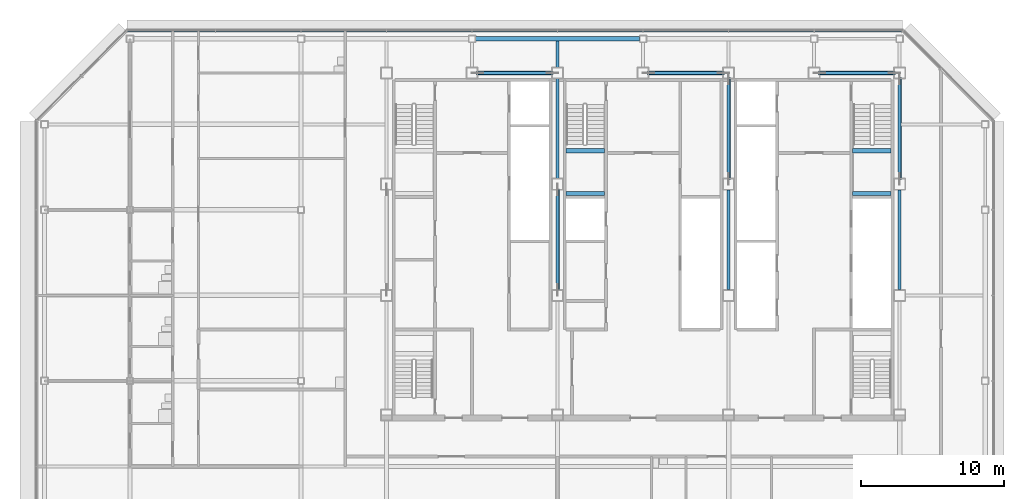
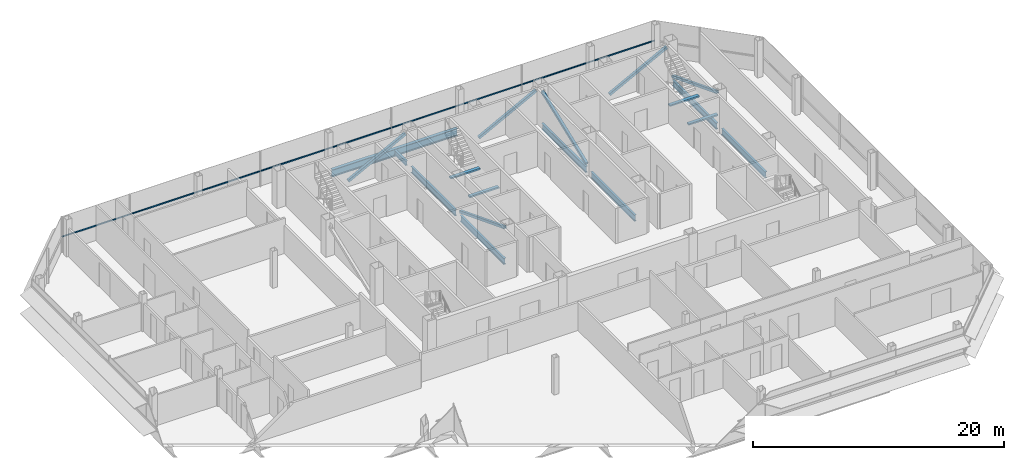
# One storey, part 17 of 31: 12 beams, 7 members, 1 element without a shape of its own.
"""IFC4 building model written with IfcOpenShell, lengths in metres."""

import ifcopenshell
import ifcopenshell.guid

model = None  # the IFC model being written
_history = None  # IfcOwnerHistory: only IFC2X3 demands one
_inside = {}  # id of a spatial element -> (the spatial element, [elements in it])
_under = {}  # id of a project, library or spatial element -> (it, [spatial elements below it])
_declared = {}  # id of a project -> (the project, [libraries it declares])
_typed = {}  # id of a type object -> (the type object, [elements of that type])
_made_of = {}  # id of a material, layer set ... -> (it, [elements and type objects made of it])


def new_model(schema):
    """Start an empty IFC model of exactly this schema.

    Asked for "IFC4X3", IfcOpenShell would pick the latest addendum, in which some entities
    have other attributes; the version numbers below select the first issue.
    IFC2X3 requires an IfcOwnerHistory on every rooted entity: one is made here for all.
    """
    global model, _history
    if schema == "IFC4X3":
        model = ifcopenshell.file(schema_version=(4, 3, 0, 0))
    else:
        model = ifcopenshell.file(schema=schema)
    _inside.clear()
    _under.clear()
    _declared.clear()
    _typed.clear()
    _made_of.clear()
    _history = None
    if model.schema == "IFC2X3":
        org = make("IfcOrganization", Name="unknown")
        user = make(
            "IfcPersonAndOrganization",
            ThePerson=make("IfcPerson", FamilyName="unknown"),
            TheOrganization=org,
        )
        app = make(
            "IfcApplication",
            ApplicationDeveloper=org,
            Version="unknown",
            ApplicationFullName="unknown",
            ApplicationIdentifier="unknown",
        )
        _history = make(
            "IfcOwnerHistory",
            OwningUser=user,
            OwningApplication=app,
            ChangeAction="ADDED",
            CreationDate=0,
        )
    return model


def make(cls, **values):
    """One entity of the class cls with the attributes given. An attribute that is None is left unset."""
    return model.create_entity(
        cls, **{name: value for name, value in values.items() if value is not None}
    )


def rooted(cls, **values):
    """An entity with a GlobalId (a new one), such as an element, a storey or a relation."""
    return make(cls, GlobalId=ifcopenshell.guid.new(), OwnerHistory=_history, **values)


def si_unit(unit_type, name, prefix=None):
    """IfcSIUnit, for example si_unit("LENGTHUNIT", "METRE", prefix="MILLI")."""
    return make("IfcSIUnit", UnitType=unit_type, Prefix=prefix, Name=name)


def assignment(units):
    """IfcUnitAssignment: the units of a project."""
    return None if units is None else make("IfcUnitAssignment", Units=units)


def point(xyz):
    """IfcCartesianPoint."""
    return None if xyz is None else make("IfcCartesianPoint", Coordinates=xyz)


def direction(xyz):
    """IfcDirection."""
    return None if xyz is None else make("IfcDirection", DirectionRatios=xyz)


def frame(location, z_axis=None, x_axis=None):
    """IfcAxis2Placement3D, a coordinate frame: its origin and axes. An axis left out is left unset."""
    return make(
        "IfcAxis2Placement3D",
        Location=point(location),
        Axis=direction(z_axis),
        RefDirection=direction(x_axis),
    )


def frame_2d(location, x_axis=None):
    """IfcAxis2Placement2D, a coordinate frame in the plane: its origin and x axis."""
    return make(
        "IfcAxis2Placement2D", Location=point(location), RefDirection=direction(x_axis)
    )


def origin():
    """The frame at (0, 0, 0) with its axes left unset."""
    return frame((0.0, 0.0, 0.0))


def origin_2d():
    """The frame at (0, 0) in the plane with its x axis left unset."""
    return frame_2d((0.0, 0.0))


def place(relative_to, where):
    """IfcLocalPlacement: puts the frame where relative to a parent placement (None: the world)."""
    return make(
        "IfcLocalPlacement", PlacementRelTo=relative_to, RelativePlacement=where
    )


def context(
    kind, dimensions, precision=None, world=None, true_north=None, identifier=None
):
    """IfcGeometricRepresentationContext, for example the 3D "Model" context."""
    return make(
        "IfcGeometricRepresentationContext",
        ContextIdentifier=identifier,
        ContextType=kind,
        CoordinateSpaceDimension=dimensions,
        Precision=precision,
        WorldCoordinateSystem=world,
        TrueNorth=true_north,
    )


def subcontext(parent, identifier, kind, view, scale=None):
    """IfcGeometricRepresentationSubContext, for example "Body" below "Model"."""
    return make(
        "IfcGeometricRepresentationSubContext",
        ContextIdentifier=identifier,
        ContextType=kind,
        ParentContext=parent,
        TargetScale=scale,
        TargetView=view,
    )


def project(units=None, contexts=None):
    """IfcProject with its units and contexts."""
    return rooted(
        "IfcProject",
        Name="project",
        RepresentationContexts=contexts,
        UnitsInContext=assignment(units),
    )


def spatial(cls, under=None, at=None, **own):
    """A site, building, storey or space (cls), placed at a placement, below another one or the project."""
    s = rooted(cls, ObjectPlacement=at, **own)
    if under is not None:
        _under.setdefault(under.id(), (under, []))[1].append(s)
    return s


def profile(cls, at=None, kind="AREA", **sizes):
    """A parametric profile (cls). Its sizes go by their IFC names, for example OverallWidth=200.0."""
    return make(cls, ProfileType=kind, Position=at, **sizes)


def rectangle(**sizes):
    """IfcRectangleProfileDef."""
    return profile("IfcRectangleProfileDef", **sizes)


def hollow_rectangle(**sizes):
    """IfcRectangleHollowProfileDef."""
    return profile("IfcRectangleHollowProfileDef", **sizes)


def i_section(**sizes):
    """IfcIShapeProfileDef."""
    return profile("IfcIShapeProfileDef", **sizes)


def extrude(swept, where, along, depth):
    """IfcExtrudedAreaSolid: the profile swept, set in the frame where, extruded along a direction by depth."""
    return make(
        "IfcExtrudedAreaSolid",
        SweptArea=swept,
        Position=where,
        ExtrudedDirection=direction(along),
        Depth=depth,
    )


def shape(context_of_items, identifier, shape_type, items):
    """IfcShapeRepresentation: the items that make up one representation, for example the "Body"."""
    return make(
        "IfcShapeRepresentation",
        ContextOfItems=context_of_items,
        RepresentationIdentifier=identifier,
        RepresentationType=shape_type,
        Items=items,
    )


def material(Name=None, Category=None):
    """IfcMaterial."""
    return make("IfcMaterial", Name=Name, Category=Category)


def material_profile(
    of_material, cross_section, Name=None, Category=None, Priority=None
):
    """IfcMaterialProfile: a cross section and its material."""
    return make(
        "IfcMaterialProfile",
        Name=Name,
        Material=of_material,
        Profile=cross_section,
        Priority=Priority,
        Category=Category,
    )


def profile_set(profiles, Name=None, composite=None):
    """IfcMaterialProfileSet."""
    return make(
        "IfcMaterialProfileSet",
        Name=Name,
        MaterialProfiles=profiles,
        CompositeProfile=composite,
    )


def made_of(thing, what):
    """Note that an element or type object is made of a material, layer set ...; save() writes the relation."""
    if what is not None:
        _made_of.setdefault(what.id(), (what, []))[1].append(thing)
    return thing


def type_object(cls, material=None, **own):
    """A type object (cls), such as IfcWallType, which elements share."""
    return made_of(rooted(cls, **own), material)


def element(
    cls,
    number,
    at=None,
    inside=None,
    cuts=None,
    type_object=None,
    material=None,
    context=None,
    identifier="Body",
    shape_type=None,
    held_by="IfcProductDefinitionShape",
    body=None,
    shapes=None,
    **own,
):
    """One element of the class cls, such as IfcWall. Its Tag is "e" and its number.

    at: its placement. inside: the storey or other place that contains it. cuts: it is an
    opening in that element (IfcRelVoidsElement). A single representation is given by context,
    identifier, shape_type and body (its items); several are given by shapes. held_by: the class
    of the entity that holds the representations. save() writes the other relations.
    """
    e = rooted(cls, Tag="e%d" % number, ObjectPlacement=at, **own)
    if body is not None:
        shapes = [shape(context, identifier, shape_type, body)]
    if shapes is not None:
        e.Representation = make(held_by, Representations=shapes)
    if inside is not None:
        _inside.setdefault(inside.id(), (inside, []))[1].append(e)
    if cuts is not None:
        rooted(
            "IfcRelVoidsElement", RelatingBuildingElement=cuts, RelatedOpeningElement=e
        )
    if type_object is not None:
        _typed.setdefault(type_object.id(), (type_object, []))[1].append(e)
    return made_of(e, material)


def aggregate(whole, parts):
    """IfcRelAggregates: a whole, such as a stair, and the parts it consists of."""
    return rooted("IfcRelAggregates", RelatingObject=whole, RelatedObjects=parts)


def save(model, path):
    """Write the relations noted so far, then the file.

    IfcRelAggregates (storeys below a building ...), IfcRelContainedInSpatialStructure (elements
    in a storey), IfcRelDefinesByType, IfcRelAssociatesMaterial and IfcRelDeclares: one each for
    every whole, place, type object, material and project.
    """
    for whole, parts in _under.values():
        aggregate(whole, parts)
    for where, things in _inside.values():
        rooted(
            "IfcRelContainedInSpatialStructure",
            RelatedElements=things,
            RelatingStructure=where,
        )
    for kind, things in _typed.values():
        rooted("IfcRelDefinesByType", RelatedObjects=things, RelatingType=kind)
    for what, things in _made_of.values():
        rooted("IfcRelAssociatesMaterial", RelatedObjects=things, RelatingMaterial=what)
    for by, libraries in _declared.values():
        rooted("IfcRelDeclares", RelatingContext=by, RelatedDefinitions=libraries)
    model.write(path)


model = new_model("IFC4")

# Units and contexts
model_context = context("Model", 3, precision=1e-05, world=origin(), true_north=direction((0.0, 1.0)))
body_context = subcontext(model_context, "Body", "Model", "MODEL_VIEW")
ifc_project = project(units=[si_unit("LENGTHUNIT", "METRE"), si_unit("AREAUNIT", "SQUARE_METRE"), si_unit("VOLUMEUNIT", "CUBIC_METRE"), si_unit("PLANEANGLEUNIT", "RADIAN"), si_unit("MASSUNIT", "GRAM", prefix="KILO")], contexts=[model_context])

# Site, building, storey
site_placement = place(None, origin())
site = spatial("IfcSite", under=ifc_project, at=site_placement, CompositionType="ELEMENT")
building_placement = place(site_placement, origin())
building = spatial("IfcBuilding", under=site, at=building_placement, Name="Sorahane Residences", CompositionType="ELEMENT")
storey_placement = place(building_placement, frame((0.0, 0.0, 319.60009765625)))
storey = spatial("IfcBuildingStorey", under=building, at=storey_placement, Name="L76", CompositionType="ELEMENT", Elevation=319.60009765625)

# Members
ifc_material_1 = material(Name="Steel Q355B", Category="steel")
ifc_material_profile_1 = material_profile(ifc_material_1, hollow_rectangle(XDim=0.25, YDim=0.25, WallThickness=0.011962890625, InnerFilletRadius=0.006103515625, OuterFilletRadius=0.01806640625, at=origin_2d()), Name="RHS 250x250x12")
ifc_profile_set_1 = profile_set([ifc_material_profile_1], Name="Steel Q355B")
member_type_1 = type_object("IfcMemberType", Name="Core brace RHS 250x250x12 Q355B", PredefinedType="BRACE", material=ifc_profile_set_1)
for number, where, z_axis, x_axis, name in (
    (1, (12.365234375, 45.60009765625, 0.106689453125), (0.886099769192, 0.0, 0.46349455125), (0.0, 1.0, 0.0), "Core brace L76 y45.6-2"),
    (2, (24.365234375, 45.60009765625, 0.106689453125), (0.886099769192, 0.0, 0.46349455125), (0.0, 1.0, 0.0), "Core brace L76 y45.6-4"),
    (3, (36.365234375, 45.60009765625, 0.106689453125), (0.886099769192, 0.0, 0.46349455125), (0.0, 1.0, 0.0), "Core brace L76 y45.6-6"),
):
    element("IfcMember", number, at=place(storey_placement, frame(where, z_axis=z_axis, x_axis=x_axis)), inside=storey, type_object=member_type_1, Name=name, PredefinedType="BRACE", context=body_context, shape_type="SweptSolid", body=[
        extrude(hollow_rectangle(XDim=0.25, YDim=0.25, WallThickness=0.011962890625, InnerFilletRadius=0.006103515625, OuterFilletRadius=0.01806640625, at=origin_2d()), origin(), (0.0, 0.0, 1.0), 5.94677734375),
    ])
member_1_placement = place(storey_placement, frame((42.0, 45.22705078125, 0.1142578125), z_axis=(0.0, -0.932097872445, 0.362206510411), x_axis=(1.0, 0.0, 0.0)))
element("IfcMember", 4, at=member_1_placement, inside=storey, type_object=member_type_1, Name="Core brace L76 x42-3", PredefinedType="BRACE", context=body_context, shape_type="SweptSolid", body=[
    extrude(hollow_rectangle(XDim=0.25, YDim=0.25, WallThickness=0.011962890625, InnerFilletRadius=0.006103515625, OuterFilletRadius=0.01806640625, at=origin_2d()), origin(), (0.0, 0.0, 1.0), 7.568115234375),
])
member_2_placement = place(storey_placement, frame((18.0, 37.42724609375, 0.1142578125), z_axis=(0.0, -0.932102104456, 0.362195619617), x_axis=(1.0, 0.0, 0.0)))
element("IfcMember", 5, at=member_2_placement, inside=storey, type_object=member_type_1, Name="Core brace L76 x18-1", PredefinedType="BRACE", context=body_context, shape_type="SweptSolid", body=[
    extrude(hollow_rectangle(XDim=0.25, YDim=0.25, WallThickness=0.011962890625, InnerFilletRadius=0.006103515625, OuterFilletRadius=0.01806640625, at=origin_2d()), origin(), (0.0, 0.0, 1.0), 7.568359375),
])
member_3_placement = place(storey_placement, frame((30.0, 38.1728515625, 0.1142578125), z_axis=(0.0, 0.932097872445, 0.362206510411), x_axis=(-1.0, 0.0, 0.0)))
element("IfcMember", 6, at=member_3_placement, inside=storey, type_object=member_type_1, Name="Core brace L76 x30-2", PredefinedType="BRACE", context=body_context, shape_type="SweptSolid", body=[
    extrude(hollow_rectangle(XDim=0.25, YDim=0.25, WallThickness=0.011962890625, InnerFilletRadius=0.006103515625, OuterFilletRadius=0.01806640625, at=origin_2d()), origin(), (0.0, 0.0, 1.0), 7.568115234375),
])

# Curtain wall, member
ifc_material_2 = material(Name="Dark low-e glass and black anodised aluminium", Category="aluminium")
curtain_wall_type = type_object("IfcCurtainWallType", Name="Curtain wall CW-1 Typical unitised wall", PredefinedType="NOTDEFINED", material=ifc_material_2)
curtain_wall_placement = place(storey_placement, origin())
curtain_wall = element("IfcCurtainWall", 7, at=curtain_wall_placement, inside=storey, type_object=curtain_wall_type, Name="CW-1 curtain wall L76 N1", PredefinedType="NOTDEFINED")
ifc_material_3 = material(Name="Black anodised aluminium", Category="aluminium")
ifc_material_profile_2 = material_profile(ifc_material_3, rectangle(XDim=0.10009765625, YDim=0.06005859375, at=origin_2d()), Name="Curtain wall transom CW-1 black anodised aluminium 60x100")
ifc_profile_set_2 = profile_set([ifc_material_profile_2], Name="Black anodised aluminium")
member_type_2 = type_object("IfcMemberType", Name="Curtain wall transom CW-1 black anodised aluminium 60x100", PredefinedType="USERDEFINED", material=ifc_profile_set_2)
member_4_placement = place(storey_placement, frame((42.198486328125, 48.530029296875, 1.5), z_axis=(-1.0, 0.0, 0.0), x_axis=(0.0, -1.0, 0.0)))
member_4 = element("IfcMember", 8, at=member_4_placement, type_object=member_type_2, Name="CW-1 transom L76 N1", ObjectType="TRANSOM", PredefinedType="USERDEFINED", context=body_context, shape_type="SweptSolid", body=[
    extrude(rectangle(XDim=0.10009765625, YDim=0.06005859375, at=origin_2d()), origin(), (0.0, 0.0, 1.0), 54.39697265625),
])
aggregate(curtain_wall, [member_4])

# Beams
ifc_material_4 = material(Name="Concrete C40", Category="concrete")
ifc_material_profile_3 = material_profile(ifc_material_4, rectangle(XDim=0.300048828125, YDim=0.139892578125, at=origin_2d()), Name="300x140")
ifc_profile_set_3 = profile_set([ifc_material_profile_3], Name="Concrete C40")
beam_type_1 = type_object("IfcBeamType", Name="RC landing beam 300 x 140 Concrete C40", PredefinedType="BEAM", material=ifc_profile_set_3)
for number, where, z_axis, x_axis, name in (
    (9, (38.699951171875, 37.14990234375, 1.52978515625), (1.0, 0.0, 0.0), (0.0, 1.0, 0.0), "Landing beam"),
    (10, (38.699951171875, 40.14990234375, 1.52978515625), (1.0, 0.0, 0.0), (0.0, 1.0, 0.0), "Landing beam"),
    (11, (18.60009765625, 37.14990234375, 1.52978515625), (1.0, 0.0, 0.0), (0.0, 1.0, 0.0), "Landing beam"),
    (12, (18.60009765625, 40.14990234375, 1.52978515625), (1.0, 0.0, 0.0), (0.0, 1.0, 0.0), "Landing beam"),
):
    element("IfcBeam", number, at=place(storey_placement, frame(where, z_axis=z_axis, x_axis=x_axis)), inside=storey, type_object=beam_type_1, Name=name, PredefinedType="BEAM", context=body_context, shape_type="SweptSolid", body=[
        extrude(rectangle(XDim=0.300048828125, YDim=0.139892578125, at=origin_2d()), origin(), (0.0, 0.0, 1.0), 2.699951171875),
    ])
ifc_material_5 = material(Name="Steel Q355B", Category="steel")
ifc_material_profile_4 = material_profile(ifc_material_5, i_section(OverallWidth=0.199951171875, OverallDepth=0.449951171875, WebThickness=0.009033203125, FlangeThickness=0.013916015625, FilletRadius=0.02001953125, at=origin_2d()), Name="HN 450x200x9x14")
ifc_profile_set_4 = profile_set([ifc_material_profile_4], Name="Steel Q355B")
beam_type_2 = type_object("IfcBeamType", Name="Steel floor beam HN 450x200x9x14 Q355B", PredefinedType="BEAM", material=ifc_profile_set_4)
beam_1_placement = place(storey_placement, frame((18.0, 46.0, -0.405029296875), z_axis=(0.0, 1.0, 0.0), x_axis=(-1.0, 0.0, 0.0)))
element("IfcBeam", 13, at=beam_1_placement, inside=storey, type_object=beam_type_2, Name="Beam L76 044", PredefinedType="BEAM", context=body_context, shape_type="SweptSolid", body=[
    extrude(i_section(OverallWidth=0.199951171875, OverallDepth=0.449951171875, WebThickness=0.009033203125, FlangeThickness=0.013916015625, FilletRadius=0.02001953125, at=origin_2d()), origin(), (0.0, 0.0, 1.0), 1.85009765625),
])
ifc_material_6 = material(Name="Steel Q355B", Category="steel")
ifc_material_profile_5 = material_profile(ifc_material_6, i_section(OverallWidth=0.199951171875, OverallDepth=0.60009765625, WebThickness=0.010986328125, FlangeThickness=0.01708984375, FilletRadius=0.02392578125, at=origin_2d()), Name="HN 600x200x11x17")
ifc_profile_set_5 = profile_set([ifc_material_profile_5], Name="Steel Q355B")
beam_type_3 = type_object("IfcBeamType", Name="Steel floor beam HN 600x200x11x17 Q355B", PredefinedType="BEAM", material=ifc_profile_set_5)
for number, where, z_axis, x_axis, name in (
    (14, (18.0, 30.39990234375, -0.47998046875), (0.0, 1.0, 0.0), (-1.0, 0.0, 0.0), "Beam L76 042"),
    (15, (18.0, 38.199951171875, -0.47998046875), (0.0, 1.0, 0.0), (-1.0, 0.0, 0.0), "Beam L76 043"),
    (16, (30.0, 30.39990234375, -0.47998046875), (0.0, 1.0, 0.0), (-1.0, 0.0, 0.0), "Beam L76 050"),
    (17, (30.0, 38.199951171875, -0.47998046875), (0.0, 1.0, 0.0), (-1.0, 0.0, 0.0), "Beam L76 051"),
    (18, (42.0, 30.39990234375, -0.47998046875), (0.0, 1.0, 0.0), (-1.0, 0.0, 0.0), "Beam L76 058"),
    (19, (42.0, 38.199951171875, -0.47998046875), (0.0, 1.0, 0.0), (-1.0, 0.0, 0.0), "Beam L76 059"),
):
    element("IfcBeam", number, at=place(storey_placement, frame(where, z_axis=z_axis, x_axis=x_axis)), inside=storey, type_object=beam_type_3, Name=name, PredefinedType="BEAM", context=body_context, shape_type="SweptSolid", body=[
        extrude(i_section(OverallWidth=0.199951171875, OverallDepth=0.60009765625, WebThickness=0.010986328125, FlangeThickness=0.01708984375, FilletRadius=0.02392578125, at=origin_2d()), origin(), (0.0, 0.0, 1.0), 7.0),
    ])
ifc_material_7 = material(Name="Steel Q355B", Category="steel")
ifc_material_profile_6 = material_profile(ifc_material_7, i_section(OverallWidth=0.300048828125, OverallDepth=0.699951171875, WebThickness=0.012939453125, FlangeThickness=0.02392578125, FilletRadius=0.028076171875, at=origin_2d()), Name="HN 700x300x13x24")
ifc_profile_set_6 = profile_set([ifc_material_profile_6], Name="Steel Q355B")
beam_type_4 = type_object("IfcBeamType", Name="Steel floor beam HN 700x300x13x24 Q355B", PredefinedType="BEAM", material=ifc_profile_set_6)
beam_2_placement = place(storey_placement, frame((12.25, 48.0, -0.530029296875), z_axis=(1.0, 0.0, 0.0), x_axis=(0.0, 1.0, 0.0)))
element("IfcBeam", 20, at=beam_2_placement, inside=storey, type_object=beam_type_4, Name="Beam L76 017", PredefinedType="BEAM", context=body_context, shape_type="SweptSolid", body=[
    extrude(i_section(OverallWidth=0.300048828125, OverallDepth=0.699951171875, WebThickness=0.012939453125, FlangeThickness=0.02392578125, FilletRadius=0.028076171875, at=origin_2d()), origin(), (0.0, 0.0, 1.0), 11.5),
])

save(model, "model.ifc")
